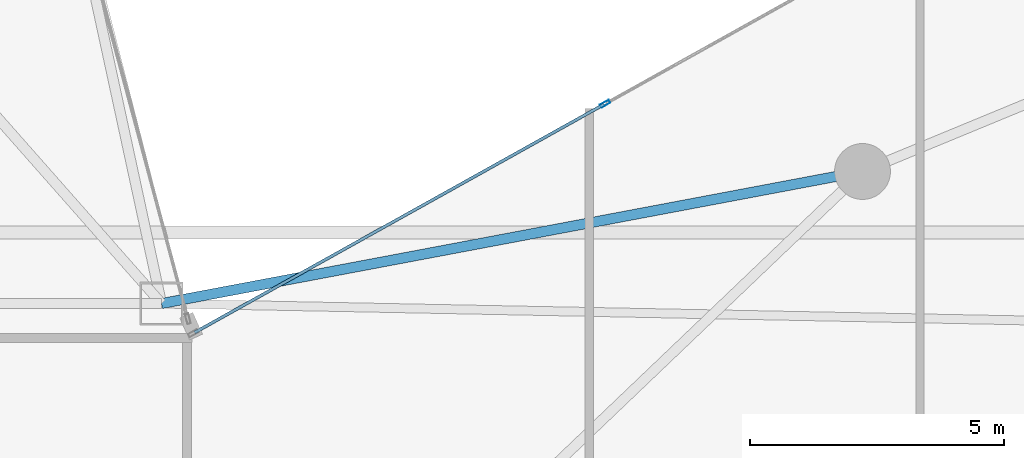
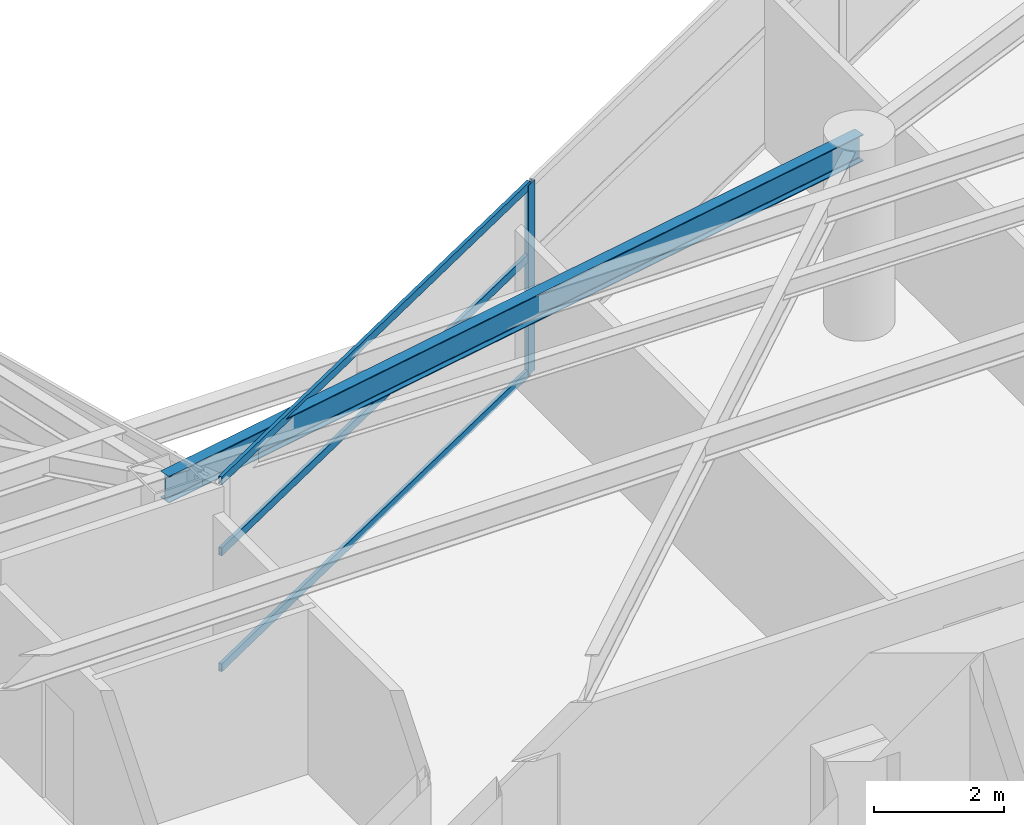
# One storey, part 11 of 28: 4 members, 1 beam, 1 element without a shape of its own.
"""IFC4 building model written with IfcOpenShell, lengths in metres."""

from ifc_helpers import new_model, si_unit, direction, frame, origin, origin_2d, place, context, subcontext, project, spatial, hollow_rectangle, i_section, extrude, material, layer, layer_set, material_profile, profile_set, type_object, element, aggregate, save


model = new_model("IFC4")

# Units and contexts
model_context = context("Model", 3, precision=1e-05, world=origin(), true_north=direction((0.0, 1.0)))
body_context = subcontext(model_context, "Body", "Model", "MODEL_VIEW")
ifc_project = project(units=[si_unit("LENGTHUNIT", "METRE"), si_unit("AREAUNIT", "SQUARE_METRE"), si_unit("VOLUMEUNIT", "CUBIC_METRE"), si_unit("PLANEANGLEUNIT", "RADIAN"), si_unit("MASSUNIT", "GRAM", prefix="KILO")], contexts=[model_context])

# Site, building, storey
site_placement = place(None, origin())
site = spatial("IfcSite", under=ifc_project, at=site_placement, CompositionType="ELEMENT")
building_placement = place(site_placement, origin())
building = spatial("IfcBuilding", under=site, at=building_placement, Name="Calvorn Quay Hotel", CompositionType="ELEMENT")
storey_placement = place(building_placement, frame((0.0, 0.0, 159.89990234375)))
storey = spatial("IfcBuildingStorey", under=building, at=storey_placement, Name="L39", CompositionType="ELEMENT", Elevation=159.89990234375)

# Beam
ifc_material_1 = material(Name="Steel Q355B", Category="steel")
ifc_material_profile_1 = material_profile(ifc_material_1, i_section(OverallWidth=0.199951171875, OverallDepth=0.5, WebThickness=0.010009765625, FlangeThickness=0.01611328125, FilletRadius=0.01611328125, at=origin_2d()), Name="HN500x200x10x16")
ifc_profile_set_1 = profile_set([ifc_material_profile_1], Name="Steel Q355B")
beam_type = type_object("IfcBeamType", Name="BM-SPANDREL-Z1", PredefinedType="SPANDREL", material=ifc_profile_set_1)
beam_placement = place(storey_placement, frame((34.800048828125, 27.60009765625, 3.2900390625), z_axis=(-0.982709432406, -0.185154452988, 0.0), x_axis=(0.185154452988, -0.982709432406, 0.0)))
element("IfcBeam", 1, at=beam_placement, inside=storey, type_object=beam_type, Name="Beam BSP-L39-E5", PredefinedType="SPANDREL", context=body_context, shape_type="SweptSolid", body=[
    extrude(i_section(OverallWidth=0.199951171875, OverallDepth=0.5, WebThickness=0.010009765625, FlangeThickness=0.01611328125, FilletRadius=0.01611328125, at=origin_2d()), origin(), (0.0, 0.0, 1.0), 14.04296875),
])

# Curtain wall, members
ifc_material_2 = material(Name="Pale Anodised Aluminium and Low-E Glass", Category="aluminium")
ifc_layer = layer(ifc_material_2, 0.219970703125)
ifc_layer_set = layer_set([ifc_layer], Name="CW-SYS-Z2")
curtain_wall_type = type_object("IfcCurtainWallType", Name="CW-SYS-Z2", PredefinedType="NOTDEFINED", material=ifc_layer_set)
curtain_wall_placement = place(storey_placement, origin())
curtain_wall = element("IfcCurtainWall", 2, at=curtain_wall_placement, inside=storey, type_object=curtain_wall_type, Name="Inner Court Curtain Wall L39-NE1", PredefinedType="NOTDEFINED")
ifc_material_3 = material(Name="Pale Anodised Aluminium 6063-T6", Category="aluminium")
ifc_material_profile_2 = material_profile(ifc_material_3, hollow_rectangle(XDim=0.070068359375, YDim=0.199951171875, WallThickness=0.00390625, at=origin_2d()), Name="ALU-M200x70x4")
ifc_profile_set_2 = profile_set([ifc_material_profile_2], Name="Pale Anodised Aluminium 6063-T6")
member_type_1 = type_object("IfcMemberType", Name="CW-SYS-Z2-MUL", PredefinedType="MULLION", material=ifc_profile_set_2)
member_1_placement = place(storey_placement, frame((29.7333984375, 28.933349609375, 0.0), z_axis=(0.0, 0.0, 1.0), x_axis=(0.486858256224, -0.873480989116, 0.0)))
member_1 = element("IfcMember", 3, at=member_1_placement, type_object=member_type_1, Name="CW-L39-NE1 mullion 3", PredefinedType="MULLION", context=body_context, shape_type="SweptSolid", body=[
    extrude(hollow_rectangle(XDim=0.070068359375, YDim=0.199951171875, WallThickness=0.00390625, at=origin_2d()), origin(), (0.0, 0.0, 1.0), 3.56005859375),
])
ifc_material_4 = material(Name="Pale Anodised Aluminium 6063-T6", Category="aluminium")
ifc_material_profile_3 = material_profile(ifc_material_4, hollow_rectangle(XDim=0.06005859375, YDim=0.14990234375, WallThickness=0.00341796875, at=origin_2d()), Name="ALU-T150x60x3.5")
ifc_profile_set_3 = profile_set([ifc_material_profile_3], Name="Pale Anodised Aluminium 6063-T6")
member_type_2 = type_object("IfcMemberType", Name="CW-SYS-Z2-TRN", PredefinedType="USERDEFINED", material=ifc_profile_set_3)
member_2_placement = place(storey_placement, frame((29.70703125, 28.918701171875, 0.030029296875), z_axis=(-0.87348080454, -0.486858587375, 0.0), x_axis=(0.486858587375, -0.87348080454, 0.0)))
member_2 = element("IfcMember", 4, at=member_2_placement, type_object=member_type_2, Name="CW-L39-NE1 transom 3.1", ObjectType="TRANSOM", PredefinedType="USERDEFINED", context=body_context, shape_type="SweptSolid", body=[
    extrude(hollow_rectangle(XDim=0.06005859375, YDim=0.14990234375, WallThickness=0.00341796875, at=origin_2d()), origin(), (0.0, 0.0, 1.0), 9.221435546875),
])
member_3_placement = place(storey_placement, frame((29.70703125, 28.918701171875, 2.2001953125), z_axis=(-0.87348080454, -0.486858587375, 0.0), x_axis=(0.486858587375, -0.87348080454, 0.0)))
member_3 = element("IfcMember", 5, at=member_3_placement, type_object=member_type_2, Name="CW-L39-NE1 transom 3.2", ObjectType="TRANSOM", PredefinedType="USERDEFINED", context=body_context, shape_type="SweptSolid", body=[
    extrude(hollow_rectangle(XDim=0.06005859375, YDim=0.14990234375, WallThickness=0.00341796875, at=origin_2d()), origin(), (0.0, 0.0, 1.0), 9.221435546875),
])
member_4_placement = place(storey_placement, frame((29.70703125, 28.918701171875, 3.530029296875), z_axis=(-0.87348080454, -0.486858587375, 0.0), x_axis=(0.486858587375, -0.87348080454, 0.0)))
member_4 = element("IfcMember", 6, at=member_4_placement, type_object=member_type_2, Name="CW-L39-NE1 transom 3.3", ObjectType="TRANSOM", PredefinedType="USERDEFINED", context=body_context, shape_type="SweptSolid", body=[
    extrude(hollow_rectangle(XDim=0.06005859375, YDim=0.14990234375, WallThickness=0.00341796875, at=origin_2d()), origin(), (0.0, 0.0, 1.0), 9.221435546875),
])
aggregate(curtain_wall, [member_1, member_2, member_3, member_4])

save(model, "model.ifc")
